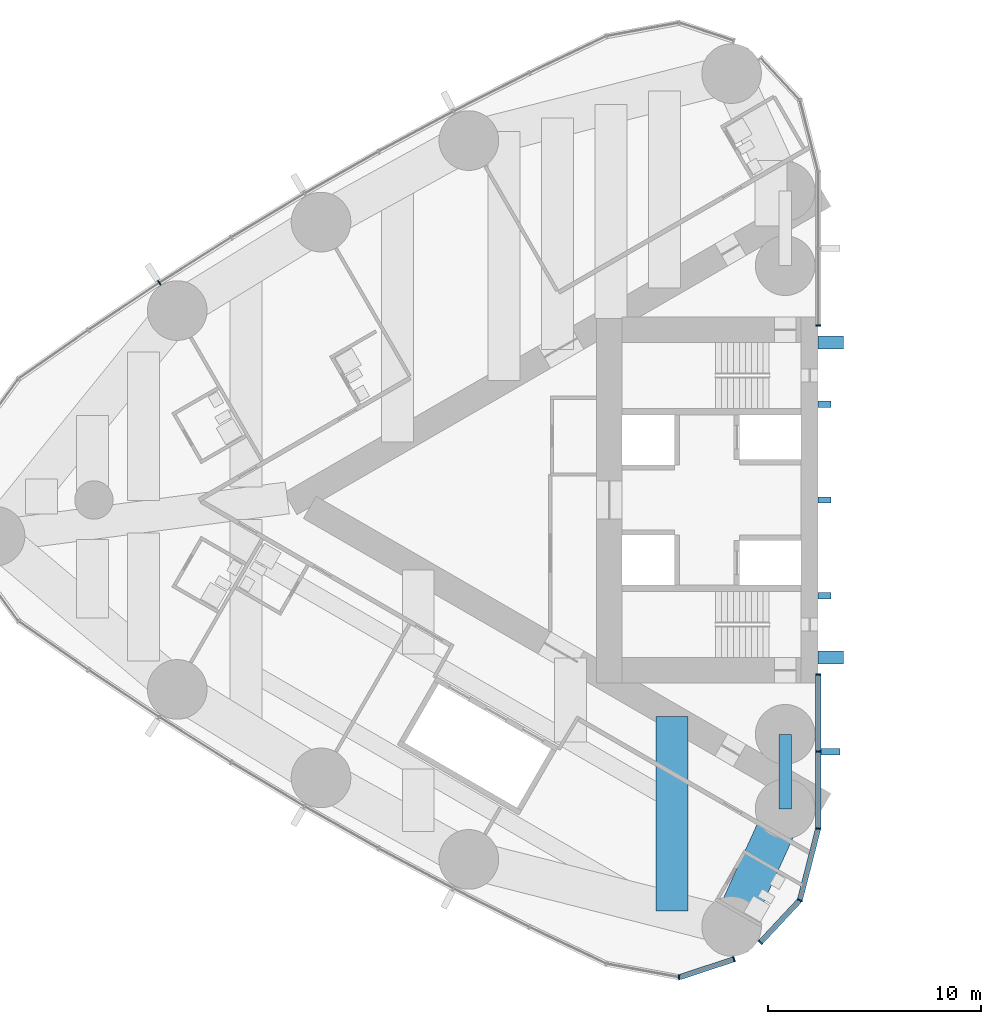
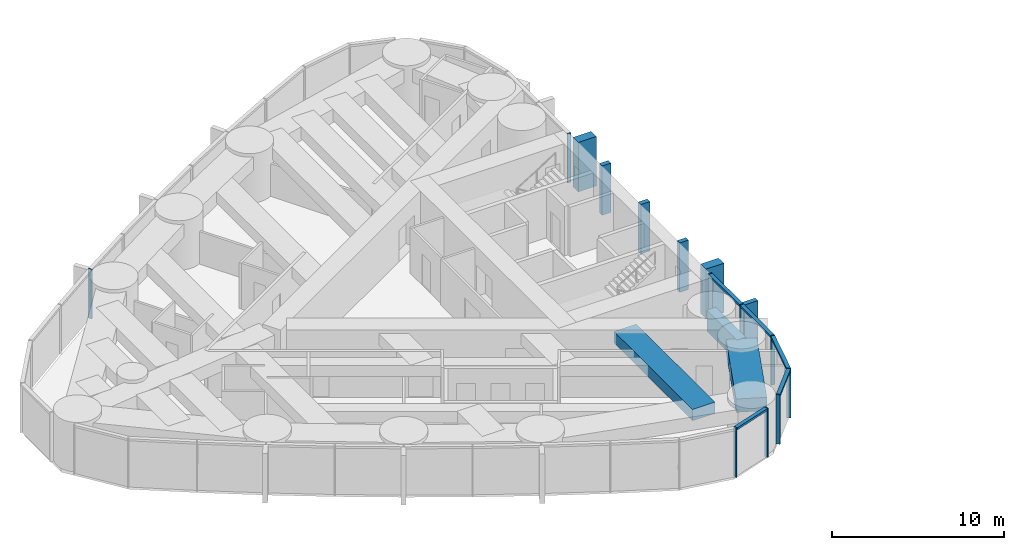
# One storey, part 4 of 18: 20 members, 3 beams, 4 elements without a shape of their own.
"""IFC4 building model written with IfcOpenShell, lengths in metres."""

from ifc_helpers import new_model, si_unit, direction, frame, origin, origin_2d, place, context, subcontext, project, spatial, rectangle, hollow_rectangle, extrude, material, material_profile, profile_set, type_object, element, aggregate, save


model = new_model("IFC4")

# Units and contexts
model_context = context("Model", 3, precision=1e-05, world=origin(), true_north=direction((0.0, 1.0)))
body_context = subcontext(model_context, "Body", "Model", "MODEL_VIEW")
ifc_project = project(units=[si_unit("LENGTHUNIT", "METRE"), si_unit("AREAUNIT", "SQUARE_METRE"), si_unit("VOLUMEUNIT", "CUBIC_METRE"), si_unit("PLANEANGLEUNIT", "RADIAN"), si_unit("MASSUNIT", "GRAM", prefix="KILO")], contexts=[model_context])

# Site, building, storey
site_placement = place(None, origin())
site = spatial("IfcSite", under=ifc_project, at=site_placement, CompositionType="ELEMENT")
building_placement = place(site_placement, origin())
building = spatial("IfcBuilding", under=site, at=building_placement, Name="Lancet Gate Hotel", CompositionType="ELEMENT")
storey_placement = place(building_placement, frame((0.0, 0.0, 187.800048828125)))
storey = spatial("IfcBuildingStorey", under=building, at=storey_placement, Name="L50", CompositionType="ELEMENT", Elevation=187.800048828125)

# Curtain wall, member
ifc_material_1 = material(Name="Aluminium curtain wall", Category="aluminium")
curtain_wall_type = type_object("IfcCurtainWallType", Name="Tower unitised curtain wall", PredefinedType="USERDEFINED", material=ifc_material_1)
curtain_wall_1_placement = place(storey_placement, origin())
curtain_wall_1 = element("IfcCurtainWall", 1, at=curtain_wall_1_placement, inside=storey, type_object=curtain_wall_type, Name="T1 L50 curtain wall 1", ObjectType="UNITISED CURTAIN WALL", PredefinedType="USERDEFINED")
ifc_material_2 = material(Name="Aluminium mullion", Category="aluminium")
ifc_material_profile_1 = material_profile(ifc_material_2, rectangle(XDim=0.06494140625, YDim=0.25, at=origin_2d()), Name="MULLION 65x250")
ifc_profile_set_1 = profile_set([ifc_material_profile_1], Name="Aluminium mullion")
member_type_1 = type_object("IfcMemberType", Name="Aluminium mullion 65x250", PredefinedType="MULLION", material=ifc_profile_set_1)
member_1_placement = place(storey_placement, frame((-27.5, 8.199951171875, 0.0), z_axis=(0.0, 0.0, 1.0), x_axis=(0.0, 1.0, 0.0)))
member_1 = element("IfcMember", 2, at=member_1_placement, type_object=member_type_1, Name="T1 L50 curtain wall 1 mullion 1", PredefinedType="MULLION", context=body_context, shape_type="SweptSolid", body=[
    extrude(rectangle(XDim=0.06494140625, YDim=0.25, at=origin_2d()), origin(), (0.0, 0.0, 1.0), 3.5),
])
aggregate(curtain_wall_1, [member_1])

curtain_wall_2_placement = place(storey_placement, origin())
curtain_wall_2 = element("IfcCurtainWall", 3, at=curtain_wall_2_placement, inside=storey, type_object=curtain_wall_type, Name="T1 L50 curtain wall 2", ObjectType="UNITISED CURTAIN WALL", PredefinedType="USERDEFINED")
member_2_placement = place(storey_placement, frame((-58.43212890625, 10.194091796875, 0.0), z_axis=(0.0, 0.0, 1.0), x_axis=(-0.839331119324, -0.54362052218, 0.0)))
member_2 = element("IfcMember", 4, at=member_2_placement, type_object=member_type_1, Name="T1 L50 curtain wall 2 mullion 9", PredefinedType="MULLION", context=body_context, shape_type="SweptSolid", body=[
    extrude(rectangle(XDim=0.06494140625, YDim=0.25, at=origin_2d()), origin(), (0.0, 0.0, 1.0), 3.5),
])
aggregate(curtain_wall_2, [member_2])

# Curtain wall, members
curtain_wall_3_placement = place(storey_placement, origin())
curtain_wall_3 = element("IfcCurtainWall", 5, at=curtain_wall_3_placement, inside=storey, type_object=curtain_wall_type, Name="T1 L50 curtain wall 3", ObjectType="UNITISED CURTAIN WALL", PredefinedType="USERDEFINED")
member_3_placement = place(storey_placement, frame((-34.02783203125, -22.407470703125, 0.0), z_axis=(0.0, 0.0, 1.0), x_axis=(0.999350473622, 0.036036521361, 0.0)))
member_3 = element("IfcMember", 6, at=member_3_placement, type_object=member_type_1, Name="T1 L50 curtain wall 3 mullion 11", PredefinedType="MULLION", context=body_context, shape_type="SweptSolid", body=[
    extrude(rectangle(XDim=0.06494140625, YDim=0.25, at=origin_2d()), origin(), (0.0, 0.0, 1.0), 3.5),
])
member_4_placement = place(storey_placement, frame((-31.45263671875, -21.5595703125, 0.0), z_axis=(0.0, 0.0, 1.0), x_axis=(0.949848055084, 0.312711803827, 0.0)))
member_4 = element("IfcMember", 7, at=member_4_placement, type_object=member_type_1, Name="T1 L50 curtain wall 3 mullion 12", PredefinedType="MULLION", context=body_context, shape_type="SweptSolid", body=[
    extrude(rectangle(XDim=0.06494140625, YDim=0.25, at=origin_2d()), origin(), (0.0, 0.0, 1.0), 3.5),
])

curtain_wall_4_placement = place(storey_placement, origin())
curtain_wall_4 = element("IfcCurtainWall", 8, at=curtain_wall_4_placement, inside=storey, type_object=curtain_wall_type, Name="T1 L50 curtain wall 4", ObjectType="UNITISED CURTAIN WALL", PredefinedType="USERDEFINED")
member_5_placement = place(storey_placement, frame((-30.210693359375, -20.765625, 0.0), z_axis=(0.0, 0.0, 1.0), x_axis=(0.682844962172, 0.730563315282, 0.0)))
member_5 = element("IfcMember", 9, at=member_5_placement, type_object=member_type_1, Name="T1 L50 curtain wall 4 mullion 1", PredefinedType="MULLION", context=body_context, shape_type="SweptSolid", body=[
    extrude(rectangle(XDim=0.06494140625, YDim=0.25, at=origin_2d()), origin(), (0.0, 0.0, 1.0), 3.5),
])
member_6_placement = place(storey_placement, frame((-28.360595703125, -18.7861328125, 0.0), z_axis=(0.0, 0.0, 1.0), x_axis=(0.452507601198, 0.891760545695, 0.0)))
member_6 = element("IfcMember", 10, at=member_6_placement, type_object=member_type_1, Name="T1 L50 curtain wall 4 mullion 2", PredefinedType="MULLION", context=body_context, shape_type="SweptSolid", body=[
    extrude(rectangle(XDim=0.06494140625, YDim=0.25, at=origin_2d()), origin(), (0.0, 0.0, 1.0), 3.5),
])
member_7_placement = place(storey_placement, frame((-27.5, -15.42333984375, 0.0), z_axis=(0.0, 0.0, 1.0), x_axis=(0.122467472845, 0.992472527627, 0.0)))
member_7 = element("IfcMember", 11, at=member_7_placement, type_object=member_type_1, Name="T1 L50 curtain wall 4 mullion 3", PredefinedType="MULLION", context=body_context, shape_type="SweptSolid", body=[
    extrude(rectangle(XDim=0.06494140625, YDim=0.25, at=origin_2d()), origin(), (0.0, 0.0, 1.0), 3.5),
])
member_8_placement = place(storey_placement, frame((-27.5, -11.811767578125, 0.0), z_axis=(0.0, 0.0, 1.0), x_axis=(0.0, 1.0, 0.0)))
member_8 = element("IfcMember", 12, at=member_8_placement, type_object=member_type_1, Name="T1 L50 curtain wall 4 mullion 4", PredefinedType="MULLION", context=body_context, shape_type="SweptSolid", body=[
    extrude(rectangle(XDim=0.06494140625, YDim=0.25, at=origin_2d()), origin(), (0.0, 0.0, 1.0), 3.5),
])
member_9_placement = place(storey_placement, frame((-27.5, -8.199951171875, 0.0), z_axis=(0.0, 0.0, 1.0), x_axis=(0.0, 1.0, 0.0)))
member_9 = element("IfcMember", 13, at=member_9_placement, type_object=member_type_1, Name="T1 L50 curtain wall 4 mullion 5", PredefinedType="MULLION", context=body_context, shape_type="SweptSolid", body=[
    extrude(rectangle(XDim=0.06494140625, YDim=0.25, at=origin_2d()), origin(), (0.0, 0.0, 1.0), 3.5),
])

# Member
ifc_material_3 = material(Name="Aluminium transom", Category="aluminium")
ifc_material_profile_2 = material_profile(ifc_material_3, rectangle(XDim=0.25, YDim=0.14990234375, at=origin_2d()), Name="TRANSOM 250x150")
ifc_profile_set_2 = profile_set([ifc_material_profile_2], Name="Aluminium transom")
member_type_2 = type_object("IfcMemberType", Name="Aluminium transom 250x150", PredefinedType="USERDEFINED", material=ifc_profile_set_2)
member_10_placement = place(storey_placement, frame((-33.9970703125, -22.397216796875, 3.425048828125), z_axis=(0.949857661259, 0.312682623993, 0.0), x_axis=(-0.312682623993, 0.949857661259, 0.0)))
member_10 = element("IfcMember", 14, at=member_10_placement, type_object=member_type_2, Name="T1 L50 curtain wall 3 transom 11", ObjectType="TRANSOM", PredefinedType="USERDEFINED", context=body_context, shape_type="SweptSolid", body=[
    extrude(rectangle(XDim=0.25, YDim=0.14990234375, at=origin_2d()), origin(), (0.0, 0.0, 1.0), 2.64599609375),
])

aggregate(curtain_wall_3, [member_3, member_4, member_10])

member_11_placement = place(storey_placement, frame((-30.188720703125, -20.741943359375, 3.425048828125), z_axis=(0.682841037959, 0.730566983157, 0.0), x_axis=(-0.730566983157, 0.682841037959, 0.0)))
member_11 = element("IfcMember", 15, at=member_11_placement, type_object=member_type_2, Name="T1 L50 curtain wall 4 transom 1", ObjectType="TRANSOM", PredefinedType="USERDEFINED", context=body_context, shape_type="SweptSolid", body=[
    extrude(rectangle(XDim=0.25, YDim=0.14990234375, at=origin_2d()), origin(), (0.0, 0.0, 1.0), 2.644775390625),
])

member_12_placement = place(storey_placement, frame((-28.3525390625, -18.754638671875, 3.425048828125), z_axis=(0.247928683912, 0.968778286139, 0.0), x_axis=(-0.968778286139, 0.247928683912, 0.0)))
member_12 = element("IfcMember", 16, at=member_12_placement, type_object=member_type_2, Name="T1 L50 curtain wall 4 transom 2", ObjectType="TRANSOM", PredefinedType="USERDEFINED", context=body_context, shape_type="SweptSolid", body=[
    extrude(rectangle(XDim=0.25, YDim=0.14990234375, at=origin_2d()), origin(), (0.0, 0.0, 1.0), 3.40625),
])

member_13_placement = place(storey_placement, frame((-27.5, -15.390869140625, 3.425048828125), z_axis=(0.0, 1.0, 0.0), x_axis=(-1.0, 0.0, 0.0)))
member_13 = element("IfcMember", 17, at=member_13_placement, type_object=member_type_2, Name="T1 L50 curtain wall 4 transom 3", ObjectType="TRANSOM", PredefinedType="USERDEFINED", context=body_context, shape_type="SweptSolid", body=[
    extrude(rectangle(XDim=0.25, YDim=0.14990234375, at=origin_2d()), origin(), (0.0, 0.0, 1.0), 3.546630859375),
])

member_14_placement = place(storey_placement, frame((-27.5, -11.779296875, 3.425048828125), z_axis=(0.0, 1.0, 0.0), x_axis=(-1.0, 0.0, 0.0)))
member_14 = element("IfcMember", 18, at=member_14_placement, type_object=member_type_2, Name="T1 L50 curtain wall 4 transom 4", ObjectType="TRANSOM", PredefinedType="USERDEFINED", context=body_context, shape_type="SweptSolid", body=[
    extrude(rectangle(XDim=0.25, YDim=0.14990234375, at=origin_2d()), origin(), (0.0, 0.0, 1.0), 3.546875),
])

# Beam
ifc_material_4 = material(Name="Concrete C50/60", Category="concrete")
ifc_material_profile_3 = material_profile(ifc_material_4, rectangle(XDim=1.800048828125, YDim=0.949951171875, at=origin_2d()), Name="RC 1800x950")
ifc_profile_set_3 = profile_set([ifc_material_profile_3], Name="Concrete C50/60")
beam_type_1 = type_object("IfcBeamType", Name="Edge beam RC 1800x950", PredefinedType="SPANDREL", material=ifc_profile_set_3)
beam_1_placement = place(storey_placement, frame((-29.050048828125, -14.5, 2.77490234375), z_axis=(-0.414919206993, -0.909858259109, 0.0), x_axis=(0.909858259109, -0.414919206993, 0.0)))
element("IfcBeam", 19, at=beam_1_placement, inside=storey, type_object=beam_type_1, Name="T1 edge beam EB1 L50", PredefinedType="SPANDREL", context=body_context, shape_type="SweptSolid", body=[
    extrude(rectangle(XDim=1.800048828125, YDim=0.949951171875, at=origin_2d()), origin(), (0.0, 0.0, 1.0), 6.062255859375),
])

# Members
ifc_material_5 = material(Name="Concrete C60/75", Category="concrete")
ifc_material_profile_4 = material_profile(ifc_material_5, rectangle(XDim=0.60009765625, YDim=1.199951171875, at=origin_2d()), Name="FIN 600x1200")
ifc_profile_set_4 = profile_set([ifc_material_profile_4], Name="Concrete C60/75")
member_type_3 = type_object("IfcMemberType", Name="Exposed concrete buttress pilaster 600x1200", PredefinedType="USERDEFINED", material=ifc_profile_set_4)
for number, where, z_axis, x_axis, name in (
    (20, (-26.909912109375, 7.39990234375, 0.0), (0.0, 0.0, 1.0), (0.0, 1.0, 0.0), "T1 buttress pilaster S L50"),
    (21, (-26.909912109375, -7.39990234375, 0.0), (0.0, 0.0, 1.0), (0.0, 1.0, 0.0), "T1 buttress pilaster N L50"),
):
    element("IfcMember", number, at=place(storey_placement, frame(where, z_axis=z_axis, x_axis=x_axis)), inside=storey, type_object=member_type_3, Name=name, ObjectType="FIN", PredefinedType="USERDEFINED", context=body_context, shape_type="SweptSolid", body=[
        extrude(rectangle(XDim=0.60009765625, YDim=1.199951171875, at=origin_2d()), origin(), (0.0, 0.0, 1.0), 3.5),
    ])

# Member
ifc_material_6 = material(Name="Precast concrete C50/60", Category="concrete")
ifc_material_profile_5 = material_profile(ifc_material_6, rectangle(XDim=0.300048828125, YDim=0.89990234375, at=origin_2d()), Name="FIN 300x900")
ifc_profile_set_5 = profile_set([ifc_material_profile_5], Name="Precast concrete C50/60")
member_type_4 = type_object("IfcMemberType", Name="Exposed concrete fin 300x900", PredefinedType="USERDEFINED", material=ifc_profile_set_5)
member_15_placement = place(storey_placement, frame((-26.925048828125, -11.811767578125, 0.0), z_axis=(0.0, 0.0, 1.0), x_axis=(0.0, 1.0, 0.0)))
member_15 = element("IfcMember", 22, at=member_15_placement, type_object=member_type_4, Name="T1 L50 curtain wall 4 fin 4", ObjectType="FIN", PredefinedType="USERDEFINED", context=body_context, shape_type="SweptSolid", body=[
    extrude(rectangle(XDim=0.300048828125, YDim=0.89990234375, at=origin_2d()), origin(), (0.0, 0.0, 1.0), 3.5),
])

aggregate(curtain_wall_4, [member_5, member_6, member_7, member_8, member_15, member_9, member_11, member_12, member_13, member_14])

# Members
ifc_material_7 = material(Name="Concrete C60/75", Category="concrete")
ifc_material_profile_6 = material_profile(ifc_material_7, rectangle(XDim=0.300048828125, YDim=0.60009765625, at=origin_2d()), Name="FIN 300x600")
ifc_profile_set_6 = profile_set([ifc_material_profile_6], Name="Concrete C60/75")
member_type_5 = type_object("IfcMemberType", Name="Exposed concrete rib 300x600", PredefinedType="USERDEFINED", material=ifc_profile_set_6)
for number, where, z_axis, x_axis, name in (
    (23, (-27.2099609375, 4.5, 0.0), (0.0, 0.0, 1.0), (0.0, 1.0, 0.0), "T1 core rib 1 L50"),
    (24, (-27.2099609375, 0.0, 0.0), (0.0, 0.0, 1.0), (0.0, 1.0, 0.0), "T1 core rib 2 L50"),
    (25, (-27.2099609375, -4.5, 0.0), (0.0, 0.0, 1.0), (0.0, 1.0, 0.0), "T1 core rib 3 L50"),
):
    element("IfcMember", number, at=place(storey_placement, frame(where, z_axis=z_axis, x_axis=x_axis)), inside=storey, type_object=member_type_5, Name=name, ObjectType="FIN", PredefinedType="USERDEFINED", context=body_context, shape_type="SweptSolid", body=[
        extrude(rectangle(XDim=0.300048828125, YDim=0.60009765625, at=origin_2d()), origin(), (0.0, 0.0, 1.0), 3.5),
    ])

# Beams
ifc_material_8 = material(Name="Concrete C50/60", Category="concrete")
ifc_material_profile_7 = material_profile(ifc_material_8, rectangle(XDim=1.5, YDim=0.800048828125, at=origin_2d()), Name="RC 1500x800")
ifc_profile_set_7 = profile_set([ifc_material_profile_7], Name="Concrete C50/60")
beam_type_2 = type_object("IfcBeamType", Name="Floor beam RC 1500x800", PredefinedType="BEAM", material=ifc_profile_set_7)
beam_2_placement = place(storey_placement, frame((-34.353515625, -10.169921875, 2.849853515625), z_axis=(0.0, -1.0, 0.0), x_axis=(1.0, 0.0, 0.0)))
element("IfcBeam", 26, at=beam_2_placement, inside=storey, type_object=beam_type_2, Name="T1 floor beam F02N L50", PredefinedType="BEAM", context=body_context, shape_type="SweptSolid", body=[
    extrude(rectangle(XDim=1.5, YDim=0.800048828125, at=origin_2d()), origin(), (0.0, 0.0, 1.0), 9.13525390625),
])
ifc_material_9 = material(Name="Steel S460QL", Category="steel")
ifc_material_profile_8 = material_profile(ifc_material_9, hollow_rectangle(XDim=0.60009765625, YDim=1.5, WallThickness=0.050048828125, at=origin_2d()), Name="BOX 1500x600x50")
ifc_profile_set_8 = profile_set([ifc_material_profile_8], Name="Steel S460QL")
beam_type_3 = type_object("IfcBeamType", Name="Inner-face link beam BOX 1500x600x50", PredefinedType="BEAM", material=ifc_profile_set_8)
beam_3_placement = place(storey_placement, frame((-29.050048828125, -11.0, 2.5), z_axis=(0.0, -1.0, 0.0), x_axis=(1.0, 0.0, 0.0)))
element("IfcBeam", 27, at=beam_3_placement, inside=storey, type_object=beam_type_3, Name="T1 inner-face link beam LK1 L50", PredefinedType="BEAM", context=body_context, shape_type="SweptSolid", body=[
    extrude(hollow_rectangle(XDim=0.60009765625, YDim=1.5, WallThickness=0.050048828125, at=origin_2d()), origin(), (0.0, 0.0, 1.0), 3.5),
])

save(model, "model.ifc")
